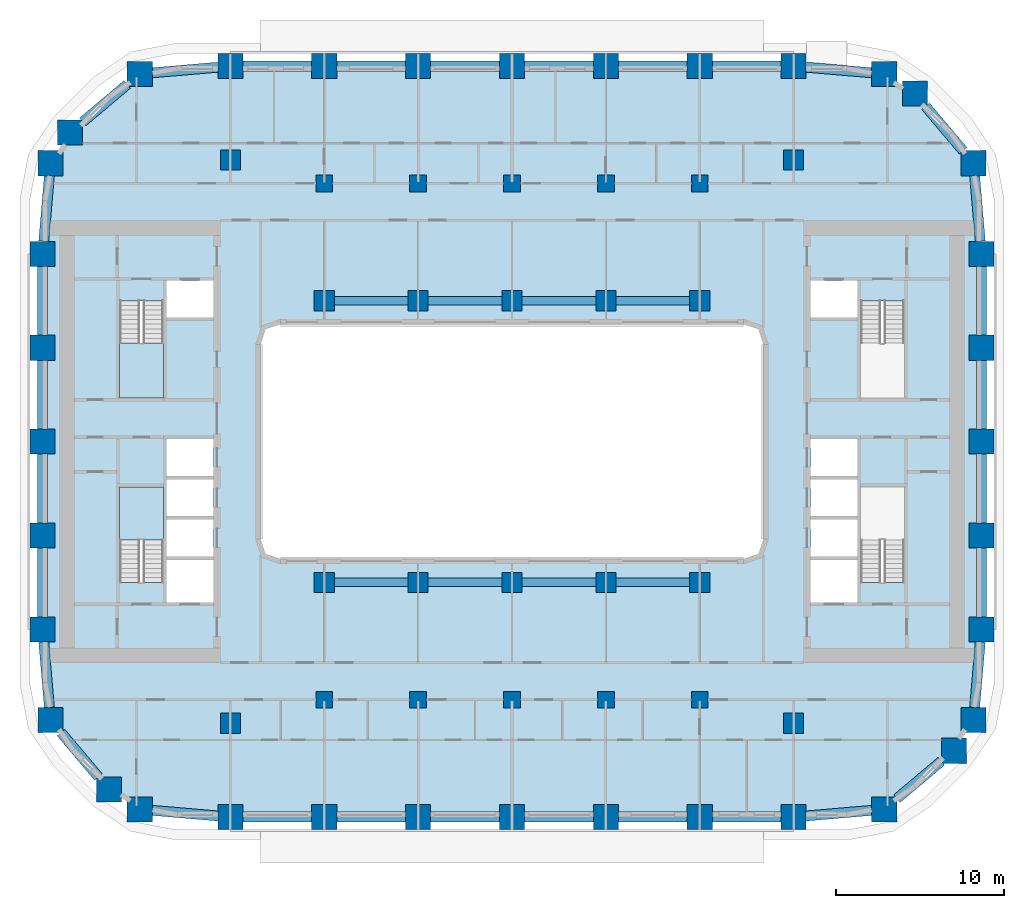
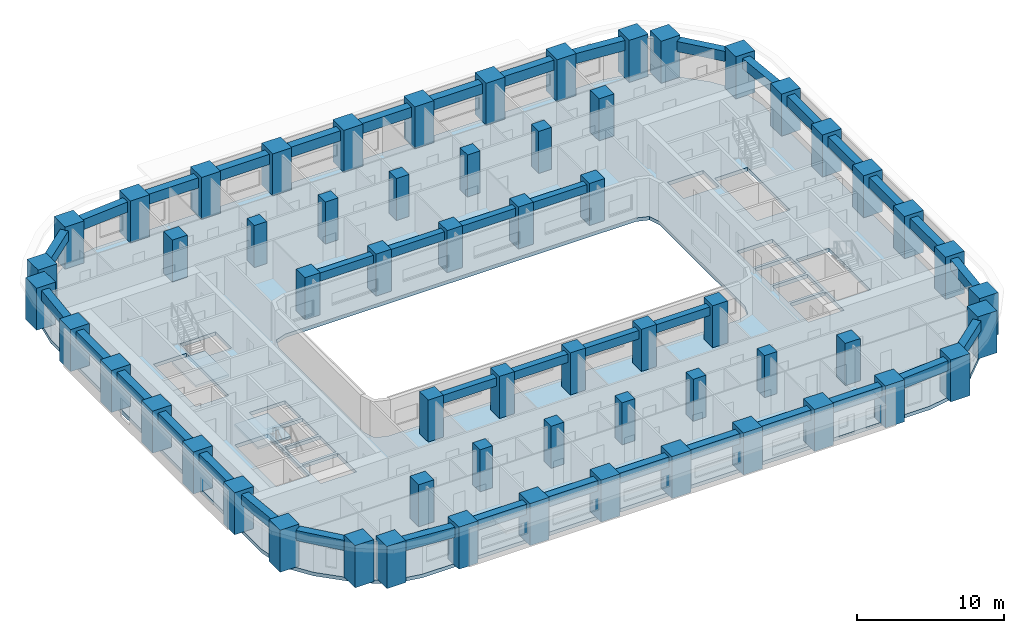
# One storey, part 1 of 20: 60 columns, 40 beams, 3 slabs, 2 elements without a shape of their own.
"""IFC4 building model written with IfcOpenShell, lengths in metres."""

from ifc_helpers import new_model, si_unit, direction, frame, origin, origin_2d, place, context, subcontext, project, spatial, polyline, rectangle, outline, extrude, material, layer, layer_set, material_profile, profile_set, type_object, element, aggregate, save


model = new_model("IFC4")

# Units and contexts
model_context = context("Model", 3, precision=1e-05, world=origin(), true_north=direction((0.0, 1.0)))
body_context = subcontext(model_context, "Body", "Model", "MODEL_VIEW")
ifc_project = project(units=[si_unit("LENGTHUNIT", "METRE"), si_unit("AREAUNIT", "SQUARE_METRE"), si_unit("VOLUMEUNIT", "CUBIC_METRE"), si_unit("PLANEANGLEUNIT", "RADIAN"), si_unit("MASSUNIT", "GRAM", prefix="KILO")], contexts=[model_context])

# Site, building, storey
site_placement = place(None, origin())
site = spatial("IfcSite", under=ifc_project, at=site_placement, CompositionType="ELEMENT")
building_placement = place(site_placement, origin())
building = spatial("IfcBuilding", under=site, at=building_placement, Name="Kiln Ring Residences", CompositionType="ELEMENT")
storey_placement = place(building_placement, frame((0.0, 0.0, 37.5)))
storey = spatial("IfcBuildingStorey", under=building, at=storey_placement, Name="L08", CompositionType="ELEMENT", Elevation=37.5)

# Columns
ifc_material_1 = material(Name="Concrete C80/95", Category="concrete")
ifc_material_profile_1 = material_profile(ifc_material_1, rectangle(XDim=1.0, YDim=1.0, at=origin_2d()), Name="RC1000x1000")
ifc_profile_set_1 = profile_set([ifc_material_profile_1], Name="Concrete C80/95")
column_type_1 = type_object("IfcColumnType", Name="Corridor column RC1000x1000 C80/95", PredefinedType="COLUMN", material=ifc_profile_set_1)
for number, where, z_axis, x_axis, name in (
    (1, (-11.199951171875, 15.39990234375, 0.0), (0.0, 0.0, 1.0), (1.0, 0.0, 0.0), "Corridor column L08 1"),
    (2, (-5.60009765625, 15.39990234375, 0.0), (0.0, 0.0, 1.0), (1.0, 0.0, 0.0), "Corridor column L08 2"),
    (3, (0.0, 15.39990234375, 0.0), (0.0, 0.0, 1.0), (1.0, 0.0, 0.0), "Corridor column L08 3"),
    (4, (5.60009765625, 15.39990234375, 0.0), (0.0, 0.0, 1.0), (1.0, 0.0, 0.0), "Corridor column L08 4"),
    (5, (11.199951171875, 15.39990234375, 0.0), (0.0, 0.0, 1.0), (1.0, 0.0, 0.0), "Corridor column L08 5"),
    (6, (-11.199951171875, -15.39990234375, 0.0), (0.0, 0.0, 1.0), (1.0, 0.0, 0.0), "Corridor column L08 6"),
    (7, (-5.60009765625, -15.39990234375, 0.0), (0.0, 0.0, 1.0), (1.0, 0.0, 0.0), "Corridor column L08 7"),
    (8, (0.0, -15.39990234375, 0.0), (0.0, 0.0, 1.0), (1.0, 0.0, 0.0), "Corridor column L08 8"),
    (9, (5.60009765625, -15.39990234375, 0.0), (0.0, 0.0, 1.0), (1.0, 0.0, 0.0), "Corridor column L08 9"),
    (10, (11.199951171875, -15.39990234375, 0.0), (0.0, 0.0, 1.0), (1.0, 0.0, 0.0), "Corridor column L08 10"),
):
    element("IfcColumn", number, at=place(storey_placement, frame(where, z_axis=z_axis, x_axis=x_axis)), inside=storey, type_object=column_type_1, Name=name, PredefinedType="COLUMN", context=body_context, shape_type="SweptSolid", body=[
        extrude(rectangle(XDim=1.0, YDim=1.0, at=origin_2d()), origin(), (0.0, 0.0, 1.0), 3.5),
    ])
ifc_material_2 = material(Name="Concrete C80/95", Category="concrete")
ifc_material_profile_2 = material_profile(ifc_material_2, rectangle(XDim=1.5, YDim=1.5, at=origin_2d()), Name="RC1500x1500")
ifc_profile_set_2 = profile_set([ifc_material_profile_2], Name="Concrete C80/95")
column_type_2 = type_object("IfcColumnType", Name="Perimeter column RC1500x1500 C80/95", PredefinedType="COLUMN", material=ifc_profile_set_2)
for number, where, z_axis, x_axis, name in (
    (11, (-22.208740234375, -21.93798828125, 0.0), (0.0, 0.0, 1.0), (1.0, 0.0, 0.0), "Perimeter column L08 1"),
    (12, (-16.800048828125, -22.39990234375, 0.0), (0.0, 0.0, 1.0), (1.0, 0.0, 0.0), "Perimeter column L08 2"),
    (13, (-11.199951171875, -22.39990234375, 0.0), (0.0, 0.0, 1.0), (1.0, 0.0, 0.0), "Perimeter column L08 3"),
    (14, (-5.60009765625, -22.39990234375, 0.0), (0.0, 0.0, 1.0), (1.0, 0.0, 0.0), "Perimeter column L08 4"),
    (15, (0.0, -22.39990234375, 0.0), (0.0, 0.0, 1.0), (1.0, 0.0, 0.0), "Perimeter column L08 5"),
    (16, (5.60009765625, -22.39990234375, 0.0), (0.0, 0.0, 1.0), (1.0, 0.0, 0.0), "Perimeter column L08 6"),
    (17, (11.199951171875, -22.39990234375, 0.0), (0.0, 0.0, 1.0), (1.0, 0.0, 0.0), "Perimeter column L08 7"),
    (18, (16.800048828125, -22.39990234375, 0.0), (0.0, 0.0, 1.0), (1.0, 0.0, 0.0), "Perimeter column L08 8"),
    (19, (22.208740234375, -21.93798828125, 0.0), (0.0, 0.0, 1.0), (1.0, 0.0, 0.0), "Perimeter column L08 9"),
    (20, (26.35986328125, -18.440185546875, 0.0), (0.0, 0.0, 1.0), (1.0, 0.0, 0.0), "Perimeter column L08 10"),
    (21, (27.5380859375, -16.608642578125, 0.0), (0.0, 0.0, 1.0), (1.0, 0.0, 0.0), "Perimeter column L08 11"),
    (22, (28.0, -11.199951171875, 0.0), (0.0, 0.0, 1.0), (1.0, 0.0, 0.0), "Perimeter column L08 12"),
    (23, (28.0, -5.60009765625, 0.0), (0.0, 0.0, 1.0), (1.0, 0.0, 0.0), "Perimeter column L08 13"),
    (24, (28.0, 0.0, 0.0), (0.0, 0.0, 1.0), (1.0, 0.0, 0.0), "Perimeter column L08 14"),
    (25, (28.0, 5.60009765625, 0.0), (0.0, 0.0, 1.0), (1.0, 0.0, 0.0), "Perimeter column L08 15"),
    (26, (28.0, 11.199951171875, 0.0), (0.0, 0.0, 1.0), (1.0, 0.0, 0.0), "Perimeter column L08 16"),
    (27, (27.5380859375, 16.608642578125, 0.0), (0.0, 0.0, 1.0), (1.0, 0.0, 0.0), "Perimeter column L08 17"),
    (28, (24.040283203125, 20.759765625, 0.0), (0.0, 0.0, 1.0), (1.0, 0.0, 0.0), "Perimeter column L08 18"),
    (29, (22.208740234375, 21.93798828125, 0.0), (0.0, 0.0, 1.0), (1.0, 0.0, 0.0), "Perimeter column L08 19"),
    (30, (16.800048828125, 22.39990234375, 0.0), (0.0, 0.0, 1.0), (1.0, 0.0, 0.0), "Perimeter column L08 20"),
    (31, (11.199951171875, 22.39990234375, 0.0), (0.0, 0.0, 1.0), (1.0, 0.0, 0.0), "Perimeter column L08 21"),
    (32, (5.60009765625, 22.39990234375, 0.0), (0.0, 0.0, 1.0), (1.0, 0.0, 0.0), "Perimeter column L08 22"),
    (33, (0.0, 22.39990234375, 0.0), (0.0, 0.0, 1.0), (1.0, 0.0, 0.0), "Perimeter column L08 23"),
    (34, (-5.60009765625, 22.39990234375, 0.0), (0.0, 0.0, 1.0), (1.0, 0.0, 0.0), "Perimeter column L08 24"),
    (35, (-11.199951171875, 22.39990234375, 0.0), (0.0, 0.0, 1.0), (1.0, 0.0, 0.0), "Perimeter column L08 25"),
    (36, (-16.800048828125, 22.39990234375, 0.0), (0.0, 0.0, 1.0), (1.0, 0.0, 0.0), "Perimeter column L08 26"),
    (37, (-22.208740234375, 21.93798828125, 0.0), (0.0, 0.0, 1.0), (1.0, 0.0, 0.0), "Perimeter column L08 27"),
    (38, (-26.35986328125, 18.440185546875, 0.0), (0.0, 0.0, 1.0), (1.0, 0.0, 0.0), "Perimeter column L08 28"),
    (39, (-27.5380859375, 16.608642578125, 0.0), (0.0, 0.0, 1.0), (1.0, 0.0, 0.0), "Perimeter column L08 29"),
    (40, (-28.0, 11.199951171875, 0.0), (0.0, 0.0, 1.0), (1.0, 0.0, 0.0), "Perimeter column L08 30"),
    (41, (-28.0, 5.60009765625, 0.0), (0.0, 0.0, 1.0), (1.0, 0.0, 0.0), "Perimeter column L08 31"),
    (42, (-28.0, 0.0, 0.0), (0.0, 0.0, 1.0), (1.0, 0.0, 0.0), "Perimeter column L08 32"),
    (43, (-28.0, -5.60009765625, 0.0), (0.0, 0.0, 1.0), (1.0, 0.0, 0.0), "Perimeter column L08 33"),
    (44, (-28.0, -11.199951171875, 0.0), (0.0, 0.0, 1.0), (1.0, 0.0, 0.0), "Perimeter column L08 34"),
    (45, (-27.5380859375, -16.608642578125, 0.0), (0.0, 0.0, 1.0), (1.0, 0.0, 0.0), "Perimeter column L08 35"),
    (46, (-24.040283203125, -20.759765625, 0.0), (0.0, 0.0, 1.0), (1.0, 0.0, 0.0), "Perimeter column L08 36"),
):
    element("IfcColumn", number, at=place(storey_placement, frame(where, z_axis=z_axis, x_axis=x_axis)), inside=storey, type_object=column_type_2, Name=name, PredefinedType="COLUMN", context=body_context, shape_type="SweptSolid", body=[
        extrude(rectangle(XDim=1.5, YDim=1.5, at=origin_2d()), origin(), (0.0, 0.0, 1.0), 3.5),
    ])
ifc_material_3 = material(Name="Concrete C80/95", Category="concrete")
ifc_material_profile_3 = material_profile(ifc_material_3, rectangle(XDim=1.199951171875, YDim=1.199951171875, at=origin_2d()), Name="RC1200x1200")
ifc_profile_set_3 = profile_set([ifc_material_profile_3], Name="Concrete C80/95")
column_type_3 = type_object("IfcColumnType", Name="Ring column RC1200x1200 C80/95", PredefinedType="COLUMN", material=ifc_profile_set_3)
for number, where, z_axis, x_axis, name in (
    (47, (-16.800048828125, -16.800048828125, 0.0), (0.0, 0.0, 1.0), (1.0, 0.0, 0.0), "Ring column L08 1"),
    (48, (-16.800048828125, 16.800048828125, 0.0), (0.0, 0.0, 1.0), (1.0, 0.0, 0.0), "Ring column L08 2"),
    (49, (-11.199951171875, -8.39990234375, 0.0), (0.0, 0.0, 1.0), (1.0, 0.0, 0.0), "Ring column L08 3"),
    (50, (-11.199951171875, 8.39990234375, 0.0), (0.0, 0.0, 1.0), (1.0, 0.0, 0.0), "Ring column L08 4"),
    (51, (-5.60009765625, -8.39990234375, 0.0), (0.0, 0.0, 1.0), (1.0, 0.0, 0.0), "Ring column L08 5"),
    (52, (-5.60009765625, 8.39990234375, 0.0), (0.0, 0.0, 1.0), (1.0, 0.0, 0.0), "Ring column L08 6"),
    (53, (0.0, -8.39990234375, 0.0), (0.0, 0.0, 1.0), (1.0, 0.0, 0.0), "Ring column L08 7"),
    (54, (0.0, 8.39990234375, 0.0), (0.0, 0.0, 1.0), (1.0, 0.0, 0.0), "Ring column L08 8"),
    (55, (5.60009765625, -8.39990234375, 0.0), (0.0, 0.0, 1.0), (1.0, 0.0, 0.0), "Ring column L08 9"),
    (56, (5.60009765625, 8.39990234375, 0.0), (0.0, 0.0, 1.0), (1.0, 0.0, 0.0), "Ring column L08 10"),
    (57, (11.199951171875, -8.39990234375, 0.0), (0.0, 0.0, 1.0), (1.0, 0.0, 0.0), "Ring column L08 11"),
    (58, (11.199951171875, 8.39990234375, 0.0), (0.0, 0.0, 1.0), (1.0, 0.0, 0.0), "Ring column L08 12"),
    (59, (16.800048828125, -16.800048828125, 0.0), (0.0, 0.0, 1.0), (1.0, 0.0, 0.0), "Ring column L08 13"),
    (60, (16.800048828125, 16.800048828125, 0.0), (0.0, 0.0, 1.0), (1.0, 0.0, 0.0), "Ring column L08 14"),
):
    element("IfcColumn", number, at=place(storey_placement, frame(where, z_axis=z_axis, x_axis=x_axis)), inside=storey, type_object=column_type_3, Name=name, PredefinedType="COLUMN", context=body_context, shape_type="SweptSolid", body=[
        extrude(rectangle(XDim=1.199951171875, YDim=1.199951171875, at=origin_2d()), origin(), (0.0, 0.0, 1.0), 3.5),
    ])

# Beams
ifc_material_4 = material(Name="Concrete C50/60", Category="concrete")
ifc_material_profile_4 = material_profile(ifc_material_4, rectangle(XDim=0.5, YDim=0.699951171875, at=origin_2d()), Name="RC500x700")
ifc_profile_set_4 = profile_set([ifc_material_profile_4], Name="Concrete C50/60")
beam_type_1 = type_object("IfcBeamType", Name="Ring beam RC500x700 C50/60", PredefinedType="BEAM", material=ifc_profile_set_4)
beam_1_placement = place(storey_placement, frame((-10.60009765625, -8.39990234375, 2.85009765625), z_axis=(1.0, 0.0, 0.0), x_axis=(0.0, 1.0, 0.0)))
element("IfcBeam", 61, at=beam_1_placement, inside=storey, type_object=beam_type_1, Name="Ring beam L08 1", PredefinedType="BEAM", context=body_context, shape_type="SweptSolid", body=[
    extrude(rectangle(XDim=0.5, YDim=0.699951171875, at=origin_2d()), origin(), (0.0, 0.0, 1.0), 4.400146484375),
])
for number, where, z_axis, x_axis, name in (
    (62, (-5.0, -8.39990234375, 2.85009765625), (1.0, 0.0, 0.0), (0.0, 1.0, 0.0), "Ring beam L08 2"),
    (63, (0.60009765625, -8.39990234375, 2.85009765625), (1.0, 0.0, 0.0), (0.0, 1.0, 0.0), "Ring beam L08 3"),
):
    element("IfcBeam", number, at=place(storey_placement, frame(where, z_axis=z_axis, x_axis=x_axis)), inside=storey, type_object=beam_type_1, Name=name, PredefinedType="BEAM", context=body_context, shape_type="SweptSolid", body=[
        extrude(rectangle(XDim=0.5, YDim=0.699951171875, at=origin_2d()), origin(), (0.0, 0.0, 1.0), 4.39990234375),
    ])
for number, where, z_axis, x_axis, name in (
    (64, (6.199951171875, -8.39990234375, 2.85009765625), (1.0, 0.0, 0.0), (0.0, 1.0, 0.0), "Ring beam L08 4"),
    (65, (-10.60009765625, 8.39990234375, 2.85009765625), (1.0, 0.0, 0.0), (0.0, 1.0, 0.0), "Ring beam L08 5"),
):
    element("IfcBeam", number, at=place(storey_placement, frame(where, z_axis=z_axis, x_axis=x_axis)), inside=storey, type_object=beam_type_1, Name=name, PredefinedType="BEAM", context=body_context, shape_type="SweptSolid", body=[
        extrude(rectangle(XDim=0.5, YDim=0.699951171875, at=origin_2d()), origin(), (0.0, 0.0, 1.0), 4.400146484375),
    ])
for number, where, z_axis, x_axis, name in (
    (66, (-5.0, 8.39990234375, 2.85009765625), (1.0, 0.0, 0.0), (0.0, 1.0, 0.0), "Ring beam L08 6"),
    (67, (0.60009765625, 8.39990234375, 2.85009765625), (1.0, 0.0, 0.0), (0.0, 1.0, 0.0), "Ring beam L08 7"),
):
    element("IfcBeam", number, at=place(storey_placement, frame(where, z_axis=z_axis, x_axis=x_axis)), inside=storey, type_object=beam_type_1, Name=name, PredefinedType="BEAM", context=body_context, shape_type="SweptSolid", body=[
        extrude(rectangle(XDim=0.5, YDim=0.699951171875, at=origin_2d()), origin(), (0.0, 0.0, 1.0), 4.39990234375),
    ])
beam_2_placement = place(storey_placement, frame((6.199951171875, 8.39990234375, 2.85009765625), z_axis=(1.0, 0.0, 0.0), x_axis=(0.0, 1.0, 0.0)))
element("IfcBeam", 68, at=beam_2_placement, inside=storey, type_object=beam_type_1, Name="Ring beam L08 8", PredefinedType="BEAM", context=body_context, shape_type="SweptSolid", body=[
    extrude(rectangle(XDim=0.5, YDim=0.699951171875, at=origin_2d()), origin(), (0.0, 0.0, 1.0), 4.400146484375),
])
ifc_material_5 = material(Name="Concrete C50/60", Category="concrete")
ifc_material_profile_5 = material_profile(ifc_material_5, rectangle(XDim=0.60009765625, YDim=0.85009765625, at=origin_2d()), Name="RC600x850")
ifc_profile_set_5 = profile_set([ifc_material_profile_5], Name="Concrete C50/60")
beam_type_2 = type_object("IfcBeamType", Name="Spandrel beam RC600x850 C50/60", PredefinedType="SPANDREL", material=ifc_profile_set_5)
beam_3_placement = place(storey_placement, frame((-21.458740234375, -22.002197265625, 2.77490234375), z_axis=(0.996374585929, -0.085074582072, 0.0), x_axis=(0.085074582072, 0.996374585929, 0.0)))
element("IfcBeam", 69, at=beam_3_placement, inside=storey, type_object=beam_type_2, Name="Spandrel beam L08 1", PredefinedType="SPANDREL", context=body_context, shape_type="SweptSolid", body=[
    extrude(rectangle(XDim=0.60009765625, YDim=0.85009765625, at=origin_2d()), origin(), (0.0, 0.0, 1.0), 3.9228515625),
])
beam_4_placement = place(storey_placement, frame((-16.050048828125, -22.39990234375, 2.77490234375), z_axis=(1.0, 0.0, 0.0), x_axis=(0.0, 1.0, 0.0)))
element("IfcBeam", 70, at=beam_4_placement, inside=storey, type_object=beam_type_2, Name="Spandrel beam L08 2", PredefinedType="SPANDREL", context=body_context, shape_type="SweptSolid", body=[
    extrude(rectangle(XDim=0.60009765625, YDim=0.85009765625, at=origin_2d()), origin(), (0.0, 0.0, 1.0), 4.10009765625),
])
beam_5_placement = place(storey_placement, frame((-10.449951171875, -22.39990234375, 2.77490234375), z_axis=(1.0, 0.0, 0.0), x_axis=(0.0, 1.0, 0.0)))
element("IfcBeam", 71, at=beam_5_placement, inside=storey, type_object=beam_type_2, Name="Spandrel beam L08 3", PredefinedType="SPANDREL", context=body_context, shape_type="SweptSolid", body=[
    extrude(rectangle(XDim=0.60009765625, YDim=0.85009765625, at=origin_2d()), origin(), (0.0, 0.0, 1.0), 4.099853515625),
])
for number, where, z_axis, x_axis, name in (
    (72, (-4.85009765625, -22.39990234375, 2.77490234375), (1.0, 0.0, 0.0), (0.0, 1.0, 0.0), "Spandrel beam L08 4"),
    (73, (0.75, -22.39990234375, 2.77490234375), (1.0, 0.0, 0.0), (0.0, 1.0, 0.0), "Spandrel beam L08 5"),
):
    element("IfcBeam", number, at=place(storey_placement, frame(where, z_axis=z_axis, x_axis=x_axis)), inside=storey, type_object=beam_type_2, Name=name, PredefinedType="SPANDREL", context=body_context, shape_type="SweptSolid", body=[
        extrude(rectangle(XDim=0.60009765625, YDim=0.85009765625, at=origin_2d()), origin(), (0.0, 0.0, 1.0), 4.10009765625),
    ])
beam_6_placement = place(storey_placement, frame((6.35009765625, -22.39990234375, 2.77490234375), z_axis=(1.0, 0.0, 0.0), x_axis=(0.0, 1.0, 0.0)))
element("IfcBeam", 74, at=beam_6_placement, inside=storey, type_object=beam_type_2, Name="Spandrel beam L08 6", PredefinedType="SPANDREL", context=body_context, shape_type="SweptSolid", body=[
    extrude(rectangle(XDim=0.60009765625, YDim=0.85009765625, at=origin_2d()), origin(), (0.0, 0.0, 1.0), 4.099853515625),
])
beam_7_placement = place(storey_placement, frame((11.949951171875, -22.39990234375, 2.77490234375), z_axis=(1.0, 0.0, 0.0), x_axis=(0.0, 1.0, 0.0)))
element("IfcBeam", 75, at=beam_7_placement, inside=storey, type_object=beam_type_2, Name="Spandrel beam L08 7", PredefinedType="SPANDREL", context=body_context, shape_type="SweptSolid", body=[
    extrude(rectangle(XDim=0.60009765625, YDim=0.85009765625, at=origin_2d()), origin(), (0.0, 0.0, 1.0), 4.10009765625),
])
beam_8_placement = place(storey_placement, frame((17.550048828125, -22.3359375, 2.77490234375), z_axis=(0.996374585929, 0.085074582072, 0.0), x_axis=(-0.085074582072, 0.996374585929, 0.0)))
element("IfcBeam", 76, at=beam_8_placement, inside=storey, type_object=beam_type_2, Name="Spandrel beam L08 8", PredefinedType="SPANDREL", context=body_context, shape_type="SweptSolid", body=[
    extrude(rectangle(XDim=0.60009765625, YDim=0.85009765625, at=origin_2d()), origin(), (0.0, 0.0, 1.0), 3.9228515625),
])
beam_9_placement = place(storey_placement, frame((22.958740234375, -21.30615234375, 2.77490234375), z_axis=(0.76471758739, 0.644365588417, 0.0), x_axis=(-0.644365588417, 0.76471758739, 0.0)))
element("IfcBeam", 77, at=beam_9_placement, inside=storey, type_object=beam_type_2, Name="Spandrel beam L08 9", PredefinedType="SPANDREL", context=body_context, shape_type="SweptSolid", body=[
    extrude(rectangle(XDim=0.60009765625, YDim=0.85009765625, at=origin_2d()), origin(), (0.0, 0.0, 1.0), 3.466796875),
])
beam_10_placement = place(storey_placement, frame((27.60205078125, -15.858642578125, 2.77490234375), z_axis=(0.085136365662, 0.996369308661, 0.0), x_axis=(-0.996369308661, 0.085136365662, 0.0)))
element("IfcBeam", 78, at=beam_10_placement, inside=storey, type_object=beam_type_2, Name="Spandrel beam L08 10", PredefinedType="SPANDREL", context=body_context, shape_type="SweptSolid", body=[
    extrude(rectangle(XDim=0.60009765625, YDim=0.85009765625, at=origin_2d()), origin(), (0.0, 0.0, 1.0), 3.9228515625),
])
beam_11_placement = place(storey_placement, frame((28.0, -10.449951171875, 2.77490234375), z_axis=(0.0, 1.0, 0.0), x_axis=(-1.0, 0.0, 0.0)))
element("IfcBeam", 79, at=beam_11_placement, inside=storey, type_object=beam_type_2, Name="Spandrel beam L08 11", PredefinedType="SPANDREL", context=body_context, shape_type="SweptSolid", body=[
    extrude(rectangle(XDim=0.60009765625, YDim=0.85009765625, at=origin_2d()), origin(), (0.0, 0.0, 1.0), 4.099853515625),
])
for number, where, z_axis, x_axis, name in (
    (80, (28.0, -4.85009765625, 2.77490234375), (0.0, 1.0, 0.0), (-1.0, 0.0, 0.0), "Spandrel beam L08 12"),
    (81, (28.0, 0.75, 2.77490234375), (0.0, 1.0, 0.0), (-1.0, 0.0, 0.0), "Spandrel beam L08 13"),
):
    element("IfcBeam", number, at=place(storey_placement, frame(where, z_axis=z_axis, x_axis=x_axis)), inside=storey, type_object=beam_type_2, Name=name, PredefinedType="SPANDREL", context=body_context, shape_type="SweptSolid", body=[
        extrude(rectangle(XDim=0.60009765625, YDim=0.85009765625, at=origin_2d()), origin(), (0.0, 0.0, 1.0), 4.10009765625),
    ])
beam_12_placement = place(storey_placement, frame((28.0, 6.35009765625, 2.77490234375), z_axis=(0.0, 1.0, 0.0), x_axis=(-1.0, 0.0, 0.0)))
element("IfcBeam", 82, at=beam_12_placement, inside=storey, type_object=beam_type_2, Name="Spandrel beam L08 14", PredefinedType="SPANDREL", context=body_context, shape_type="SweptSolid", body=[
    extrude(rectangle(XDim=0.60009765625, YDim=0.85009765625, at=origin_2d()), origin(), (0.0, 0.0, 1.0), 4.099853515625),
])
beam_13_placement = place(storey_placement, frame((27.93603515625, 11.949951171875, 2.77490234375), z_axis=(-0.085136365662, 0.996369308661, 0.0), x_axis=(-0.996369308661, -0.085136365662, 0.0)))
element("IfcBeam", 83, at=beam_13_placement, inside=storey, type_object=beam_type_2, Name="Spandrel beam L08 15", PredefinedType="SPANDREL", context=body_context, shape_type="SweptSolid", body=[
    extrude(rectangle(XDim=0.60009765625, YDim=0.85009765625, at=origin_2d()), origin(), (0.0, 0.0, 1.0), 3.9228515625),
])
beam_14_placement = place(storey_placement, frame((26.906005859375, 17.358642578125, 2.77490234375), z_axis=(-0.644365588417, 0.76471758739, 0.0), x_axis=(-0.76471758739, -0.644365588417, 0.0)))
element("IfcBeam", 84, at=beam_14_placement, inside=storey, type_object=beam_type_2, Name="Spandrel beam L08 16", PredefinedType="SPANDREL", context=body_context, shape_type="SweptSolid", body=[
    extrude(rectangle(XDim=0.60009765625, YDim=0.85009765625, at=origin_2d()), origin(), (0.0, 0.0, 1.0), 3.466796875),
])
beam_15_placement = place(storey_placement, frame((21.458740234375, 22.002197265625, 2.77490234375), z_axis=(-0.996374585929, 0.085074582072, 0.0), x_axis=(-0.085074582072, -0.996374585929, 0.0)))
element("IfcBeam", 85, at=beam_15_placement, inside=storey, type_object=beam_type_2, Name="Spandrel beam L08 17", PredefinedType="SPANDREL", context=body_context, shape_type="SweptSolid", body=[
    extrude(rectangle(XDim=0.60009765625, YDim=0.85009765625, at=origin_2d()), origin(), (0.0, 0.0, 1.0), 3.9228515625),
])
beam_16_placement = place(storey_placement, frame((16.050048828125, 22.39990234375, 2.77490234375), z_axis=(-1.0, 0.0, 0.0), x_axis=(0.0, -1.0, 0.0)))
element("IfcBeam", 86, at=beam_16_placement, inside=storey, type_object=beam_type_2, Name="Spandrel beam L08 18", PredefinedType="SPANDREL", context=body_context, shape_type="SweptSolid", body=[
    extrude(rectangle(XDim=0.60009765625, YDim=0.85009765625, at=origin_2d()), origin(), (0.0, 0.0, 1.0), 4.10009765625),
])
beam_17_placement = place(storey_placement, frame((10.449951171875, 22.39990234375, 2.77490234375), z_axis=(-1.0, 0.0, 0.0), x_axis=(0.0, -1.0, 0.0)))
element("IfcBeam", 87, at=beam_17_placement, inside=storey, type_object=beam_type_2, Name="Spandrel beam L08 19", PredefinedType="SPANDREL", context=body_context, shape_type="SweptSolid", body=[
    extrude(rectangle(XDim=0.60009765625, YDim=0.85009765625, at=origin_2d()), origin(), (0.0, 0.0, 1.0), 4.099853515625),
])
for number, where, z_axis, x_axis, name in (
    (88, (4.85009765625, 22.39990234375, 2.77490234375), (-1.0, 0.0, 0.0), (0.0, -1.0, 0.0), "Spandrel beam L08 20"),
    (89, (-0.75, 22.39990234375, 2.77490234375), (-1.0, 0.0, 0.0), (0.0, -1.0, 0.0), "Spandrel beam L08 21"),
):
    element("IfcBeam", number, at=place(storey_placement, frame(where, z_axis=z_axis, x_axis=x_axis)), inside=storey, type_object=beam_type_2, Name=name, PredefinedType="SPANDREL", context=body_context, shape_type="SweptSolid", body=[
        extrude(rectangle(XDim=0.60009765625, YDim=0.85009765625, at=origin_2d()), origin(), (0.0, 0.0, 1.0), 4.10009765625),
    ])
beam_18_placement = place(storey_placement, frame((-6.35009765625, 22.39990234375, 2.77490234375), z_axis=(-1.0, 0.0, 0.0), x_axis=(0.0, -1.0, 0.0)))
element("IfcBeam", 90, at=beam_18_placement, inside=storey, type_object=beam_type_2, Name="Spandrel beam L08 22", PredefinedType="SPANDREL", context=body_context, shape_type="SweptSolid", body=[
    extrude(rectangle(XDim=0.60009765625, YDim=0.85009765625, at=origin_2d()), origin(), (0.0, 0.0, 1.0), 4.099853515625),
])
beam_19_placement = place(storey_placement, frame((-11.949951171875, 22.39990234375, 2.77490234375), z_axis=(-1.0, 0.0, 0.0), x_axis=(0.0, -1.0, 0.0)))
element("IfcBeam", 91, at=beam_19_placement, inside=storey, type_object=beam_type_2, Name="Spandrel beam L08 23", PredefinedType="SPANDREL", context=body_context, shape_type="SweptSolid", body=[
    extrude(rectangle(XDim=0.60009765625, YDim=0.85009765625, at=origin_2d()), origin(), (0.0, 0.0, 1.0), 4.10009765625),
])
beam_20_placement = place(storey_placement, frame((-17.550048828125, 22.3359375, 2.77490234375), z_axis=(-0.996374585929, -0.085074582072, 0.0), x_axis=(0.085074582072, -0.996374585929, 0.0)))
element("IfcBeam", 92, at=beam_20_placement, inside=storey, type_object=beam_type_2, Name="Spandrel beam L08 24", PredefinedType="SPANDREL", context=body_context, shape_type="SweptSolid", body=[
    extrude(rectangle(XDim=0.60009765625, YDim=0.85009765625, at=origin_2d()), origin(), (0.0, 0.0, 1.0), 3.9228515625),
])
beam_21_placement = place(storey_placement, frame((-22.958740234375, 21.30615234375, 2.77490234375), z_axis=(-0.76471758739, -0.644365588417, 0.0), x_axis=(0.644365588417, -0.76471758739, 0.0)))
element("IfcBeam", 93, at=beam_21_placement, inside=storey, type_object=beam_type_2, Name="Spandrel beam L08 25", PredefinedType="SPANDREL", context=body_context, shape_type="SweptSolid", body=[
    extrude(rectangle(XDim=0.60009765625, YDim=0.85009765625, at=origin_2d()), origin(), (0.0, 0.0, 1.0), 3.466796875),
])
beam_22_placement = place(storey_placement, frame((-27.60205078125, 15.858642578125, 2.77490234375), z_axis=(-0.085136365662, -0.996369308661, 0.0), x_axis=(0.996369308661, -0.085136365662, 0.0)))
element("IfcBeam", 94, at=beam_22_placement, inside=storey, type_object=beam_type_2, Name="Spandrel beam L08 26", PredefinedType="SPANDREL", context=body_context, shape_type="SweptSolid", body=[
    extrude(rectangle(XDim=0.60009765625, YDim=0.85009765625, at=origin_2d()), origin(), (0.0, 0.0, 1.0), 3.9228515625),
])
beam_23_placement = place(storey_placement, frame((-28.0, 10.449951171875, 2.77490234375), z_axis=(0.0, -1.0, 0.0), x_axis=(1.0, 0.0, 0.0)))
element("IfcBeam", 95, at=beam_23_placement, inside=storey, type_object=beam_type_2, Name="Spandrel beam L08 27", PredefinedType="SPANDREL", context=body_context, shape_type="SweptSolid", body=[
    extrude(rectangle(XDim=0.60009765625, YDim=0.85009765625, at=origin_2d()), origin(), (0.0, 0.0, 1.0), 4.099853515625),
])
for number, where, z_axis, x_axis, name in (
    (96, (-28.0, 4.85009765625, 2.77490234375), (0.0, -1.0, 0.0), (1.0, 0.0, 0.0), "Spandrel beam L08 28"),
    (97, (-28.0, -0.75, 2.77490234375), (0.0, -1.0, 0.0), (1.0, 0.0, 0.0), "Spandrel beam L08 29"),
):
    element("IfcBeam", number, at=place(storey_placement, frame(where, z_axis=z_axis, x_axis=x_axis)), inside=storey, type_object=beam_type_2, Name=name, PredefinedType="SPANDREL", context=body_context, shape_type="SweptSolid", body=[
        extrude(rectangle(XDim=0.60009765625, YDim=0.85009765625, at=origin_2d()), origin(), (0.0, 0.0, 1.0), 4.10009765625),
    ])
beam_24_placement = place(storey_placement, frame((-28.0, -6.35009765625, 2.77490234375), z_axis=(0.0, -1.0, 0.0), x_axis=(1.0, 0.0, 0.0)))
element("IfcBeam", 98, at=beam_24_placement, inside=storey, type_object=beam_type_2, Name="Spandrel beam L08 30", PredefinedType="SPANDREL", context=body_context, shape_type="SweptSolid", body=[
    extrude(rectangle(XDim=0.60009765625, YDim=0.85009765625, at=origin_2d()), origin(), (0.0, 0.0, 1.0), 4.099853515625),
])
beam_25_placement = place(storey_placement, frame((-27.93603515625, -11.949951171875, 2.77490234375), z_axis=(0.085136365662, -0.996369308661, 0.0), x_axis=(0.996369308661, 0.085136365662, 0.0)))
element("IfcBeam", 99, at=beam_25_placement, inside=storey, type_object=beam_type_2, Name="Spandrel beam L08 31", PredefinedType="SPANDREL", context=body_context, shape_type="SweptSolid", body=[
    extrude(rectangle(XDim=0.60009765625, YDim=0.85009765625, at=origin_2d()), origin(), (0.0, 0.0, 1.0), 3.9228515625),
])
beam_26_placement = place(storey_placement, frame((-26.906005859375, -17.358642578125, 2.77490234375), z_axis=(0.644365588417, -0.76471758739, 0.0), x_axis=(0.76471758739, 0.644365588417, 0.0)))
element("IfcBeam", 100, at=beam_26_placement, inside=storey, type_object=beam_type_2, Name="Spandrel beam L08 32", PredefinedType="SPANDREL", context=body_context, shape_type="SweptSolid", body=[
    extrude(rectangle(XDim=0.60009765625, YDim=0.85009765625, at=origin_2d()), origin(), (0.0, 0.0, 1.0), 3.466796875),
])

# Stair, slab
ifc_material_6 = material(Name="Concrete C40/50", Category="concrete")
stair_type = type_object("IfcStairType", Name="CORE-STAIR", PredefinedType="HALF_TURN_STAIR", material=ifc_material_6)
placement_1 = place(storey_placement, origin())
stair_1 = element("IfcStair", 101, at=placement_1, inside=storey, type_object=stair_type, Name="L08 stair W-STN", PredefinedType="HALF_TURN_STAIR")
ifc_material_7 = material(Name="Concrete C40/50", Category="concrete")
ifc_layer_1 = layer(ifc_material_7, 0.199951171875)
ifc_layer_set_1 = layer_set([ifc_layer_1], Name="CORE-STAIR-LANDING")
slab_type_1 = type_object("IfcSlabType", Name="CORE-STAIR-LANDING", PredefinedType="LANDING", material=ifc_layer_set_1)
placement_2 = place(storey_placement, frame((0.0, 0.0, 1.550048828125)))
slab_1 = element("IfcSlab", 102, at=placement_2, type_object=slab_type_1, Name="W-STN landing 1", PredefinedType="LANDING", context=body_context, shape_type="SweptSolid", body=[
    extrude(outline(polyline([(-23.39990234375, 5.8798828125), (-23.39990234375, 2.60009765625), (-20.800048828125, 2.60009765625), (-20.800048828125, 5.8798828125), (-23.39990234375, 5.8798828125)])), origin(), (0.0, 0.0, 1.0), 0.199951171875),
])
aggregate(stair_1, [slab_1])

stair_2 = element("IfcStair", 103, at=placement_1, inside=storey, type_object=stair_type, Name="L08 stair W-STS", PredefinedType="HALF_TURN_STAIR")
slab_2 = element("IfcSlab", 104, at=placement_2, type_object=slab_type_1, Name="W-STS landing 1", PredefinedType="LANDING", context=body_context, shape_type="SweptSolid", body=[
    extrude(outline(polyline([(-20.800048828125, -5.8798828125), (-20.800048828125, -2.699951171875), (-23.39990234375, -2.699951171875), (-23.39990234375, -5.8798828125), (-20.800048828125, -5.8798828125)])), origin(), (0.0, 0.0, 1.0), 0.199951171875),
])
aggregate(stair_2, [slab_2])

# Slab
ifc_material_8 = material(Name="Concrete C40/50", Category="concrete")
ifc_layer_2 = layer(ifc_material_8, 0.300048828125)
ifc_layer_set_2 = layer_set([ifc_layer_2], Name="Floor slab 300")
slab_type_2 = type_object("IfcSlabType", Name="Floor slab 300", PredefinedType="FLOOR", material=ifc_layer_set_2)
slab_3_placement = place(storey_placement, frame((0.0, 0.0, -0.300048828125)))
element("IfcSlab", 105, at=slab_3_placement, inside=storey, type_object=slab_type_2, Name="Floor slab L08 1", PredefinedType="FLOOR", context=body_context, shape_type="SweptSolid", body=[
    extrude(outline(polyline([(-26.302978515625, -18.4970703125), (-24.09716796875, -20.702880859375), (-22.224365234375, -21.975830078125), (-20.0, -22.39990234375), (20.0, -22.39990234375), (22.224365234375, -21.975830078125), (24.09716796875, -20.702880859375), (26.302978515625, -18.4970703125), (27.57568359375, -16.624267578125), (28.0, -14.39990234375), (28.0, 14.39990234375), (27.57568359375, 16.624267578125), (26.302978515625, 18.4970703125), (24.09716796875, 20.702880859375), (22.224365234375, 21.975830078125), (20.0, 22.39990234375), (-20.0, 22.39990234375), (-22.224365234375, 21.975830078125), (-24.09716796875, 20.702880859375), (-26.302978515625, 18.4970703125), (-27.57568359375, 16.624267578125), (-28.0, 14.39990234375), (-28.0, -14.39990234375), (-27.57568359375, -16.624267578125), (-26.302978515625, -18.4970703125)]), holes=[polyline([(-14.699951171875, -6.699951171875), (-15.0, -5.800048828125), (-15.0, 5.800048828125), (-14.699951171875, 6.699951171875), (-13.800048828125, 7.0), (13.800048828125, 7.0), (14.699951171875, 6.699951171875), (15.0, 5.800048828125), (15.0, -5.800048828125), (14.699951171875, -6.699951171875), (13.800048828125, -7.0), (-13.800048828125, -7.0), (-14.699951171875, -6.699951171875)]), polyline([(20.800048828125, -8.39794921875), (20.800048828125, -2.699951171875), (23.39990234375, -2.699951171875), (23.39990234375, -8.39794921875), (20.800048828125, -8.39794921875)]), polyline([(20.800048828125, 2.60009765625), (20.800048828125, 8.39794921875), (23.39990234375, 8.39794921875), (23.39990234375, 2.60009765625), (20.800048828125, 2.60009765625)]), polyline([(17.800048828125, -6.85009765625), (17.800048828125, -4.64990234375), (20.60009765625, -4.64990234375), (20.60009765625, -6.85009765625), (17.800048828125, -6.85009765625)]), polyline([(17.800048828125, -4.449951171875), (17.800048828125, -2.25), (20.60009765625, -2.25), (20.60009765625, -4.449951171875), (17.800048828125, -4.449951171875)]), polyline([(17.800048828125, -2.050048828125), (17.800048828125, 0.14990234375), (20.60009765625, 0.14990234375), (20.60009765625, -2.050048828125), (17.800048828125, -2.050048828125)]), polyline([(17.800048828125, 7.39990234375), (17.800048828125, 9.60009765625), (20.60009765625, 9.60009765625), (20.60009765625, 7.39990234375), (17.800048828125, 7.39990234375)]), polyline([(20.60009765625, -9.60009765625), (17.800048828125, -9.60009765625), (17.800048828125, -7.050048828125), (20.60009765625, -7.050048828125), (20.60009765625, -9.60009765625)]), polyline([(-17.800048828125, -7.050048828125), (-17.800048828125, -9.60009765625), (-20.60009765625, -9.60009765625), (-20.60009765625, -7.050048828125), (-17.800048828125, -7.050048828125)]), polyline([(-17.800048828125, -6.85009765625), (-20.60009765625, -6.85009765625), (-20.60009765625, -4.64990234375), (-17.800048828125, -4.64990234375), (-17.800048828125, -6.85009765625)]), polyline([(-17.800048828125, -4.449951171875), (-20.60009765625, -4.449951171875), (-20.60009765625, -2.25), (-17.800048828125, -2.25), (-17.800048828125, -4.449951171875)]), polyline([(-17.800048828125, -2.050048828125), (-20.60009765625, -2.050048828125), (-20.60009765625, 0.14990234375), (-17.800048828125, 0.14990234375), (-17.800048828125, -2.050048828125)]), polyline([(-17.800048828125, 7.39990234375), (-20.60009765625, 7.39990234375), (-20.60009765625, 9.60009765625), (-17.800048828125, 9.60009765625), (-17.800048828125, 7.39990234375)]), polyline([(-20.800048828125, -8.39794921875), (-23.39990234375, -8.39794921875), (-23.39990234375, -2.699951171875), (-20.800048828125, -2.699951171875), (-20.800048828125, -8.39794921875)]), polyline([(-20.800048828125, 2.60009765625), (-23.39990234375, 2.60009765625), (-23.39990234375, 8.39794921875), (-20.800048828125, 8.39794921875), (-20.800048828125, 2.60009765625)])]), origin(), (0.0, 0.0, 1.0), 0.300048828125),
])

save(model, "model.ifc")
